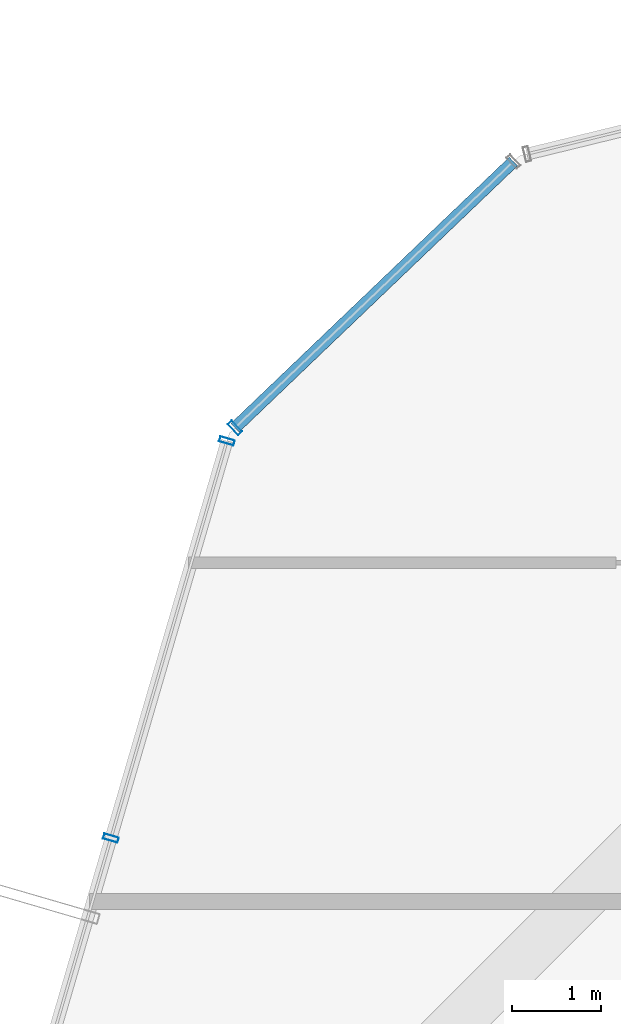
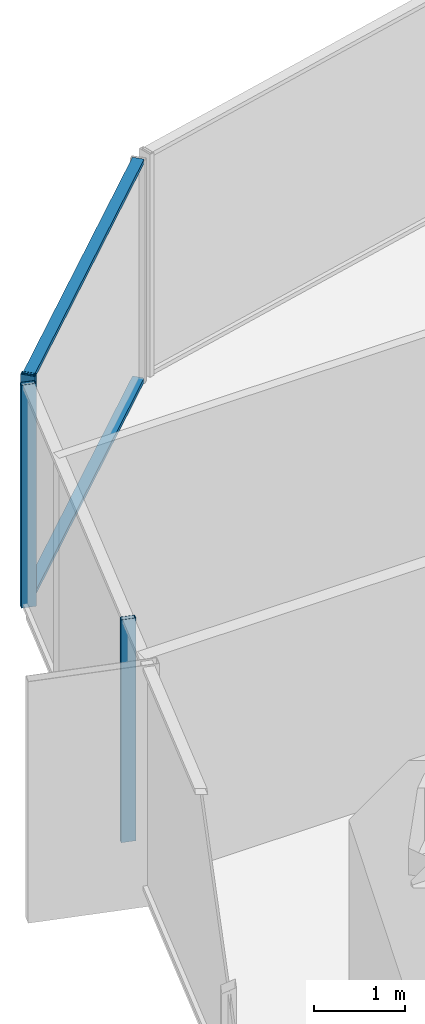
# One storey, part 20 of 37: 5 members, 2 elements without a shape of their own.
"""IFC4 building model written with IfcOpenShell, lengths in metres."""

from ifc_helpers import new_model, si_unit, direction, frame, origin, origin_2d, place, context, subcontext, project, spatial, hollow_rectangle, extrude, source, transform, mapped, material, layer, layer_set, material_profile, profile_set, type_object, element, aggregate, save


model = new_model("IFC4")

# Units and contexts
model_context = context("Model", 3, precision=1e-05, world=origin(), true_north=direction((0.0, 1.0)))
body_context = subcontext(model_context, "Body", "Model", "MODEL_VIEW")
ifc_project = project(units=[si_unit("LENGTHUNIT", "METRE"), si_unit("AREAUNIT", "SQUARE_METRE"), si_unit("VOLUMEUNIT", "CUBIC_METRE"), si_unit("PLANEANGLEUNIT", "RADIAN"), si_unit("MASSUNIT", "GRAM", prefix="KILO")], contexts=[model_context])

# Site, building, storey
site_placement = place(None, origin())
site = spatial("IfcSite", under=ifc_project, at=site_placement, CompositionType="ELEMENT")
building_placement = place(site_placement, origin())
building = spatial("IfcBuilding", under=site, at=building_placement, Name="Veraguas Prism Commons", CompositionType="ELEMENT")
storey_placement = place(building_placement, frame((0.0, 0.0, 70.60009765625)))
storey = spatial("IfcBuildingStorey", under=building, at=storey_placement, Name="L19", CompositionType="ELEMENT", Elevation=70.60009765625)

# Curtain wall, members
ifc_material = material(Name="Anodised aluminium EN AW-6063 T6", Category="aluminium")
ifc_layer = layer(ifc_material, 0.169921875, Name="Unitised Flush Curtain Wall Zone 1", Category="aluminium")
ifc_layer_set = layer_set([ifc_layer], Name="Anodised aluminium EN AW-6063 T6")
curtain_wall_type = type_object("IfcCurtainWallType", Name="Unitised Flush Curtain Wall Zone 1", PredefinedType="NOTDEFINED", material=ifc_layer_set)
curtain_wall_1_placement = place(storey_placement, origin())
curtain_wall_1 = element("IfcCurtainWall", 1, at=curtain_wall_1_placement, inside=storey, type_object=curtain_wall_type, Name="Chamfer Curtain Wall L19-C3", PredefinedType="NOTDEFINED")
ifc_material_profile_1 = material_profile(ifc_material, hollow_rectangle(XDim=0.054931640625, YDim=0.135009765625, WallThickness=0.0029296875, at=origin_2d()), Name="AL55X135X3")
ifc_profile_set_1 = profile_set([ifc_material_profile_1], Name="Anodised aluminium EN AW-6063 T6")
member_type_1 = type_object("IfcMemberType", Name="Curtain Wall Transom Standard AL 55x135x3", PredefinedType="USERDEFINED", material=ifc_profile_set_1)
shared_shape_1 = source(origin(), body_context, "Body", "SweptSolid", [
    extrude(hollow_rectangle(XDim=0.054931640625, YDim=0.135009765625, WallThickness=0.0029296875, at=origin_2d()), origin(), (0.0, 0.0, 1.0), 4.31982421875),
])
member_1_placement = place(storey_placement, frame((9.87158203125, 41.8994140625, 0.02734375), z_axis=(-0.72272654203, -0.691134100914, 0.0), x_axis=(0.0, 0.0, 1.0)))
member_1 = element("IfcMember", 2, at=member_1_placement, type_object=member_type_1, Name="CW-Z1 Transom 1", ObjectType="TRANSOM", PredefinedType="USERDEFINED", context=body_context, shape_type="MappedRepresentation", body=[
    mapped(shared_shape_1, transform((0.0, 0.0, 0.0), scale=1.0)),
])
member_2_placement = place(storey_placement, frame((9.87158203125, 41.8994140625, 2.972412109375), z_axis=(-0.72272654203, -0.691134100914, 0.0), x_axis=(0.0, 0.0, 1.0)))
member_2 = element("IfcMember", 3, at=member_2_placement, type_object=member_type_1, Name="CW-Z1 Transom 2", ObjectType="TRANSOM", PredefinedType="USERDEFINED", context=body_context, shape_type="MappedRepresentation", body=[
    mapped(shared_shape_1, transform((0.0, 0.0, 0.0), scale=1.0)),
])

curtain_wall_2_placement = place(storey_placement, origin())
curtain_wall_2 = element("IfcCurtainWall", 4, at=curtain_wall_2_placement, inside=storey, type_object=curtain_wall_type, Name="Tower Facade Curtain Wall L19-F3", PredefinedType="NOTDEFINED")
ifc_material_profile_2 = material_profile(ifc_material, hollow_rectangle(XDim=0.06005859375, YDim=0.169921875, WallThickness=0.00390625, at=origin_2d()), Name="AL60X170X4")
ifc_profile_set_2 = profile_set([ifc_material_profile_2], Name="Anodised aluminium EN AW-6063 T6")
member_type_2 = type_object("IfcMemberType", Name="Curtain Wall Mullion Lower AL 60x170x4", PredefinedType="MULLION", material=ifc_profile_set_2)
shared_shape_2 = source(origin(), body_context, "Body", "SweptSolid", [
    extrude(hollow_rectangle(XDim=0.06005859375, YDim=0.169921875, WallThickness=0.00390625, at=origin_2d()), origin(), (0.0, 0.0, 1.0), 3.0),
])
member_3_placement = place(storey_placement, frame((6.6591796875, 38.76513671875, 0.0), z_axis=(0.0, 0.0, 1.0), x_axis=(-0.280333331925, -0.959902715389, 0.0)))
member_3 = element("IfcMember", 5, at=member_3_placement, type_object=member_type_2, Name="CW-Z1 Mullion 1", PredefinedType="MULLION", context=body_context, shape_type="MappedRepresentation", body=[
    mapped(shared_shape_2, transform((0.0, 0.0, 0.0), scale=1.0)),
])
member_4_placement = place(storey_placement, frame((5.358154296875, 34.310302734375, 0.0), z_axis=(0.0, 0.0, 1.0), x_axis=(-0.280333331925, -0.959902715389, 0.0)))
member_4 = element("IfcMember", 6, at=member_4_placement, type_object=member_type_2, Name="CW-Z1 Mullion 2", PredefinedType="MULLION", context=body_context, shape_type="MappedRepresentation", body=[
    mapped(shared_shape_2, transform((0.0, 0.0, 0.0), scale=1.0)),
])
aggregate(curtain_wall_2, [member_3, member_4])

# Member
member_5_placement = place(storey_placement, frame((6.74951171875, 38.913818359375, 0.0), z_axis=(0.0, 0.0, 1.0), x_axis=(-0.722729557176, -0.691130947929, 0.0)))
member_5 = element("IfcMember", 7, at=member_5_placement, type_object=member_type_2, Name="CW-Z1 Mullion 2", PredefinedType="MULLION", context=body_context, shape_type="MappedRepresentation", body=[
    mapped(shared_shape_2, transform((0.0, 0.0, 0.0), scale=1.0)),
])

aggregate(curtain_wall_1, [member_5, member_1, member_2])

save(model, "model.ifc")
